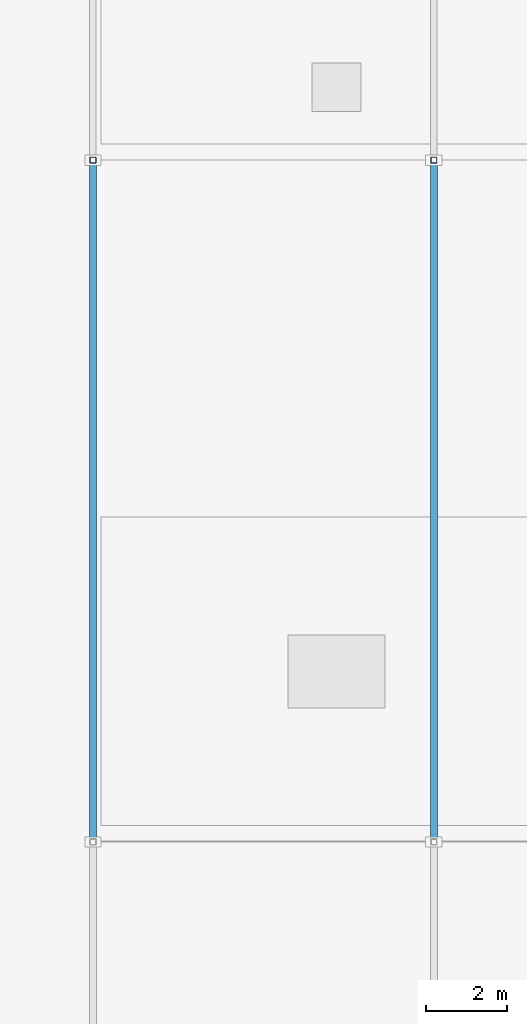
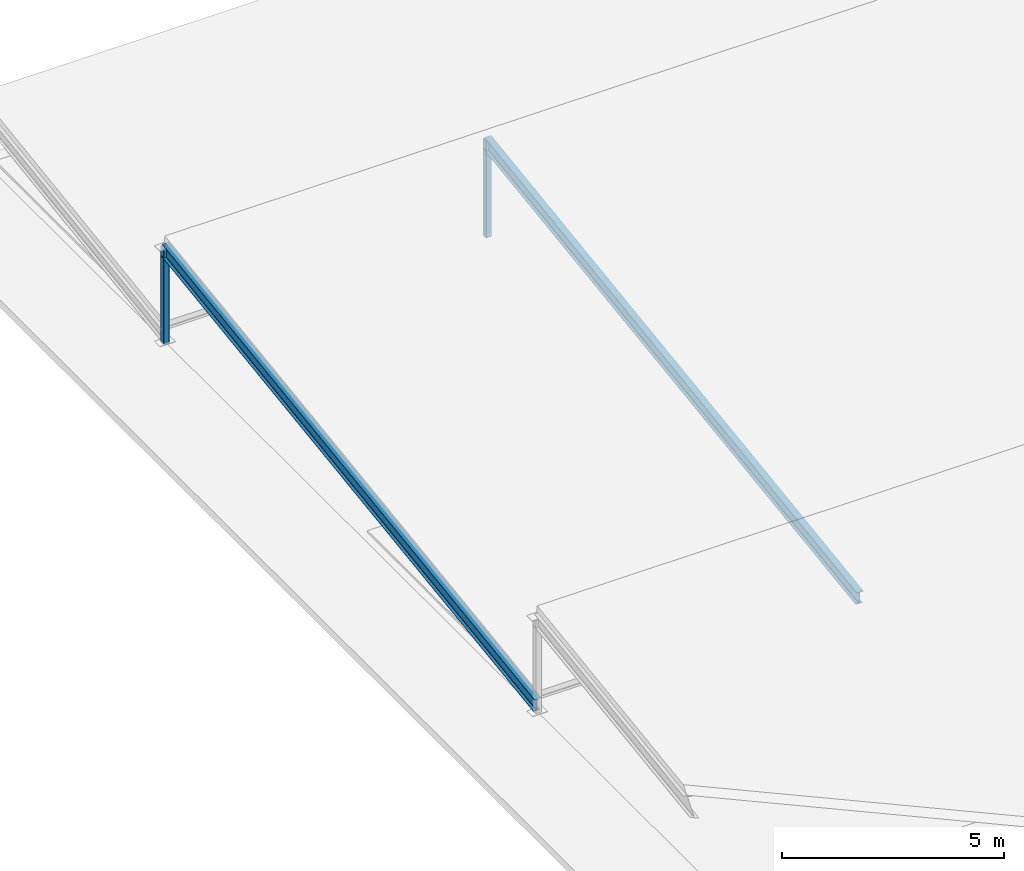
# One storey, part 5 of 12: 2 beams, 2 members.
"""IFC4 building model written with IfcOpenShell, lengths in metres."""

import ifcopenshell
import ifcopenshell.guid

model = None  # the IFC model being written
_history = None  # IfcOwnerHistory: only IFC2X3 demands one
_inside = {}  # id of a spatial element -> (the spatial element, [elements in it])
_under = {}  # id of a project, library or spatial element -> (it, [spatial elements below it])
_declared = {}  # id of a project -> (the project, [libraries it declares])
_typed = {}  # id of a type object -> (the type object, [elements of that type])
_made_of = {}  # id of a material, layer set ... -> (it, [elements and type objects made of it])


def new_model(schema):
    """Start an empty IFC model of exactly this schema.

    Asked for "IFC4X3", IfcOpenShell would pick the latest addendum, in which some entities
    have other attributes; the version numbers below select the first issue.
    IFC2X3 requires an IfcOwnerHistory on every rooted entity: one is made here for all.
    """
    global model, _history
    if schema == "IFC4X3":
        model = ifcopenshell.file(schema_version=(4, 3, 0, 0))
    else:
        model = ifcopenshell.file(schema=schema)
    _inside.clear()
    _under.clear()
    _declared.clear()
    _typed.clear()
    _made_of.clear()
    _history = None
    if model.schema == "IFC2X3":
        org = make("IfcOrganization", Name="unknown")
        user = make(
            "IfcPersonAndOrganization",
            ThePerson=make("IfcPerson", FamilyName="unknown"),
            TheOrganization=org,
        )
        app = make(
            "IfcApplication",
            ApplicationDeveloper=org,
            Version="unknown",
            ApplicationFullName="unknown",
            ApplicationIdentifier="unknown",
        )
        _history = make(
            "IfcOwnerHistory",
            OwningUser=user,
            OwningApplication=app,
            ChangeAction="ADDED",
            CreationDate=0,
        )
    return model


def make(cls, **values):
    """One entity of the class cls with the attributes given. An attribute that is None is left unset."""
    return model.create_entity(
        cls, **{name: value for name, value in values.items() if value is not None}
    )


def rooted(cls, **values):
    """An entity with a GlobalId (a new one), such as an element, a storey or a relation."""
    return make(cls, GlobalId=ifcopenshell.guid.new(), OwnerHistory=_history, **values)


def si_unit(unit_type, name, prefix=None):
    """IfcSIUnit, for example si_unit("LENGTHUNIT", "METRE", prefix="MILLI")."""
    return make("IfcSIUnit", UnitType=unit_type, Prefix=prefix, Name=name)


def assignment(units):
    """IfcUnitAssignment: the units of a project."""
    return None if units is None else make("IfcUnitAssignment", Units=units)


def point(xyz):
    """IfcCartesianPoint."""
    return None if xyz is None else make("IfcCartesianPoint", Coordinates=xyz)


def direction(xyz):
    """IfcDirection."""
    return None if xyz is None else make("IfcDirection", DirectionRatios=xyz)


def frame(location, z_axis=None, x_axis=None):
    """IfcAxis2Placement3D, a coordinate frame: its origin and axes. An axis left out is left unset."""
    return make(
        "IfcAxis2Placement3D",
        Location=point(location),
        Axis=direction(z_axis),
        RefDirection=direction(x_axis),
    )


def frame_2d(location, x_axis=None):
    """IfcAxis2Placement2D, a coordinate frame in the plane: its origin and x axis."""
    return make(
        "IfcAxis2Placement2D", Location=point(location), RefDirection=direction(x_axis)
    )


def origin():
    """The frame at (0, 0, 0) with its axes left unset."""
    return frame((0.0, 0.0, 0.0))


def origin_2d():
    """The frame at (0, 0) in the plane with its x axis left unset."""
    return frame_2d((0.0, 0.0))


def place(relative_to, where):
    """IfcLocalPlacement: puts the frame where relative to a parent placement (None: the world)."""
    return make(
        "IfcLocalPlacement", PlacementRelTo=relative_to, RelativePlacement=where
    )


def context(
    kind, dimensions, precision=None, world=None, true_north=None, identifier=None
):
    """IfcGeometricRepresentationContext, for example the 3D "Model" context."""
    return make(
        "IfcGeometricRepresentationContext",
        ContextIdentifier=identifier,
        ContextType=kind,
        CoordinateSpaceDimension=dimensions,
        Precision=precision,
        WorldCoordinateSystem=world,
        TrueNorth=true_north,
    )


def subcontext(parent, identifier, kind, view, scale=None):
    """IfcGeometricRepresentationSubContext, for example "Body" below "Model"."""
    return make(
        "IfcGeometricRepresentationSubContext",
        ContextIdentifier=identifier,
        ContextType=kind,
        ParentContext=parent,
        TargetScale=scale,
        TargetView=view,
    )


def project(units=None, contexts=None):
    """IfcProject with its units and contexts."""
    return rooted(
        "IfcProject",
        Name="project",
        RepresentationContexts=contexts,
        UnitsInContext=assignment(units),
    )


def spatial(cls, under=None, at=None, **own):
    """A site, building, storey or space (cls), placed at a placement, below another one or the project."""
    s = rooted(cls, ObjectPlacement=at, **own)
    if under is not None:
        _under.setdefault(under.id(), (under, []))[1].append(s)
    return s


def profile(cls, at=None, kind="AREA", **sizes):
    """A parametric profile (cls). Its sizes go by their IFC names, for example OverallWidth=200.0."""
    return make(cls, ProfileType=kind, Position=at, **sizes)


def hollow_rectangle(**sizes):
    """IfcRectangleHollowProfileDef."""
    return profile("IfcRectangleHollowProfileDef", **sizes)


def i_section(**sizes):
    """IfcIShapeProfileDef."""
    return profile("IfcIShapeProfileDef", **sizes)


def extrude(swept, where, along, depth):
    """IfcExtrudedAreaSolid: the profile swept, set in the frame where, extruded along a direction by depth."""
    return make(
        "IfcExtrudedAreaSolid",
        SweptArea=swept,
        Position=where,
        ExtrudedDirection=direction(along),
        Depth=depth,
    )


def shape(context_of_items, identifier, shape_type, items):
    """IfcShapeRepresentation: the items that make up one representation, for example the "Body"."""
    return make(
        "IfcShapeRepresentation",
        ContextOfItems=context_of_items,
        RepresentationIdentifier=identifier,
        RepresentationType=shape_type,
        Items=items,
    )


def material(Name=None, Category=None):
    """IfcMaterial."""
    return make("IfcMaterial", Name=Name, Category=Category)


def material_profile(
    of_material, cross_section, Name=None, Category=None, Priority=None
):
    """IfcMaterialProfile: a cross section and its material."""
    return make(
        "IfcMaterialProfile",
        Name=Name,
        Material=of_material,
        Profile=cross_section,
        Priority=Priority,
        Category=Category,
    )


def profile_set(profiles, Name=None, composite=None):
    """IfcMaterialProfileSet."""
    return make(
        "IfcMaterialProfileSet",
        Name=Name,
        MaterialProfiles=profiles,
        CompositeProfile=composite,
    )


def made_of(thing, what):
    """Note that an element or type object is made of a material, layer set ...; save() writes the relation."""
    if what is not None:
        _made_of.setdefault(what.id(), (what, []))[1].append(thing)
    return thing


def type_object(cls, material=None, **own):
    """A type object (cls), such as IfcWallType, which elements share."""
    return made_of(rooted(cls, **own), material)


def element(
    cls,
    number,
    at=None,
    inside=None,
    cuts=None,
    type_object=None,
    material=None,
    context=None,
    identifier="Body",
    shape_type=None,
    held_by="IfcProductDefinitionShape",
    body=None,
    shapes=None,
    **own,
):
    """One element of the class cls, such as IfcWall. Its Tag is "e" and its number.

    at: its placement. inside: the storey or other place that contains it. cuts: it is an
    opening in that element (IfcRelVoidsElement). A single representation is given by context,
    identifier, shape_type and body (its items); several are given by shapes. held_by: the class
    of the entity that holds the representations. save() writes the other relations.
    """
    e = rooted(cls, Tag="e%d" % number, ObjectPlacement=at, **own)
    if body is not None:
        shapes = [shape(context, identifier, shape_type, body)]
    if shapes is not None:
        e.Representation = make(held_by, Representations=shapes)
    if inside is not None:
        _inside.setdefault(inside.id(), (inside, []))[1].append(e)
    if cuts is not None:
        rooted(
            "IfcRelVoidsElement", RelatingBuildingElement=cuts, RelatedOpeningElement=e
        )
    if type_object is not None:
        _typed.setdefault(type_object.id(), (type_object, []))[1].append(e)
    return made_of(e, material)


def aggregate(whole, parts):
    """IfcRelAggregates: a whole, such as a stair, and the parts it consists of."""
    return rooted("IfcRelAggregates", RelatingObject=whole, RelatedObjects=parts)


def save(model, path):
    """Write the relations noted so far, then the file.

    IfcRelAggregates (storeys below a building ...), IfcRelContainedInSpatialStructure (elements
    in a storey), IfcRelDefinesByType, IfcRelAssociatesMaterial and IfcRelDeclares: one each for
    every whole, place, type object, material and project.
    """
    for whole, parts in _under.values():
        aggregate(whole, parts)
    for where, things in _inside.values():
        rooted(
            "IfcRelContainedInSpatialStructure",
            RelatedElements=things,
            RelatingStructure=where,
        )
    for kind, things in _typed.values():
        rooted("IfcRelDefinesByType", RelatedObjects=things, RelatingType=kind)
    for what, things in _made_of.values():
        rooted("IfcRelAssociatesMaterial", RelatedObjects=things, RelatingMaterial=what)
    for by, libraries in _declared.values():
        rooted("IfcRelDeclares", RelatingContext=by, RelatedDefinitions=libraries)
    model.write(path)


model = new_model("IFC4")

# Units and contexts
model_context = context("Model", 3, precision=1e-05, world=origin(), true_north=direction((0.0, 1.0)))
body_context = subcontext(model_context, "Body", "Model", "MODEL_VIEW")
ifc_project = project(units=[si_unit("LENGTHUNIT", "METRE"), si_unit("AREAUNIT", "SQUARE_METRE"), si_unit("VOLUMEUNIT", "CUBIC_METRE"), si_unit("PLANEANGLEUNIT", "RADIAN"), si_unit("MASSUNIT", "GRAM", prefix="KILO")], contexts=[model_context])

# Site, building, storey
site_placement = place(None, origin())
site = spatial("IfcSite", under=ifc_project, at=site_placement, CompositionType="ELEMENT")
building_placement = place(site_placement, origin())
building = spatial("IfcBuilding", under=site, at=building_placement, Name="Varnapada Polytechnic", CompositionType="ELEMENT")
storey_placement = place(building_placement, frame((0.0, 0.0, 30.60009765625)))
storey = spatial("IfcBuildingStorey", under=building, at=storey_placement, Name="Roof", CompositionType="ELEMENT", Elevation=30.60009765625)

# Members
ifc_material = material(Name="Steel S355", Category="steel")
ifc_material_profile_1 = material_profile(ifc_material, hollow_rectangle(XDim=0.14990234375, YDim=0.14990234375, WallThickness=0.00634765625, InnerFilletRadius=0.006103515625, OuterFilletRadius=0.011962890625, at=origin_2d()), Name="SHS 150x150x6.3")
ifc_profile_set_1 = profile_set([ifc_material_profile_1], Name="Steel S355")
member_type = type_object("IfcMemberType", Name="Sawtooth north-light mullion post SFP-02 (SHS 150x150x6.3)", PredefinedType="POST", material=ifc_profile_set_1)
for number, where, z_axis, x_axis, name in (
    (1, (0.0, 109.199951171875, -0.02001953125), (0.0, 0.0, 1.0), (1.0, 0.0, 0.0), "Studio sawtooth north-light post 3.1"),
    (2, (8.39990234375, 109.199951171875, -0.02001953125), (0.0, 0.0, 1.0), (1.0, 0.0, 0.0), "Studio sawtooth north-light post 3.2"),
):
    element("IfcMember", number, at=place(storey_placement, frame(where, z_axis=z_axis, x_axis=x_axis)), inside=storey, type_object=member_type, Name=name, PredefinedType="POST", context=body_context, shape_type="SweptSolid", body=[
        extrude(hollow_rectangle(XDim=0.14990234375, YDim=0.14990234375, WallThickness=0.00634765625, InnerFilletRadius=0.006103515625, OuterFilletRadius=0.011962890625, at=origin_2d()), origin(), (0.0, 0.0, 1.0), 2.64990234375),
    ])

# Beams
ifc_material_profile_2 = material_profile(ifc_material, i_section(OverallWidth=0.169921875, OverallDepth=0.360107421875, WebThickness=0.008056640625, FlangeThickness=0.0126953125, FilletRadius=0.01806640625, at=origin_2d()), Name="IPE 360")
ifc_profile_set_2 = profile_set([ifc_material_profile_2], Name="Steel S355")
beam_type = type_object("IfcBeamType", Name="Sawtooth studio roof rafter SB-03 (IPE 360)", PredefinedType="BEAM", material=ifc_profile_set_2)
for number, where, z_axis, x_axis, name in (
    (3, (0.0, 92.39990234375, 0.18994140625), (0.0, 0.990278055144, 0.139102025504), (-1.0, 0.0, 0.0), "Studio sawtooth rafter 3.1"),
    (4, (8.39990234375, 92.39990234375, 0.18994140625), (0.0, 0.990278055144, 0.139102025504), (-1.0, 0.0, 0.0), "Studio sawtooth rafter 3.2"),
):
    element("IfcBeam", number, at=place(storey_placement, frame(where, z_axis=z_axis, x_axis=x_axis)), inside=storey, type_object=beam_type, Name=name, PredefinedType="BEAM", context=body_context, shape_type="SweptSolid", body=[
        extrude(i_section(OverallWidth=0.169921875, OverallDepth=0.360107421875, WebThickness=0.008056640625, FlangeThickness=0.0126953125, FilletRadius=0.01806640625, at=origin_2d()), origin(), (0.0, 0.0, 1.0), 16.965087890625),
    ])

save(model, "model.ifc")
